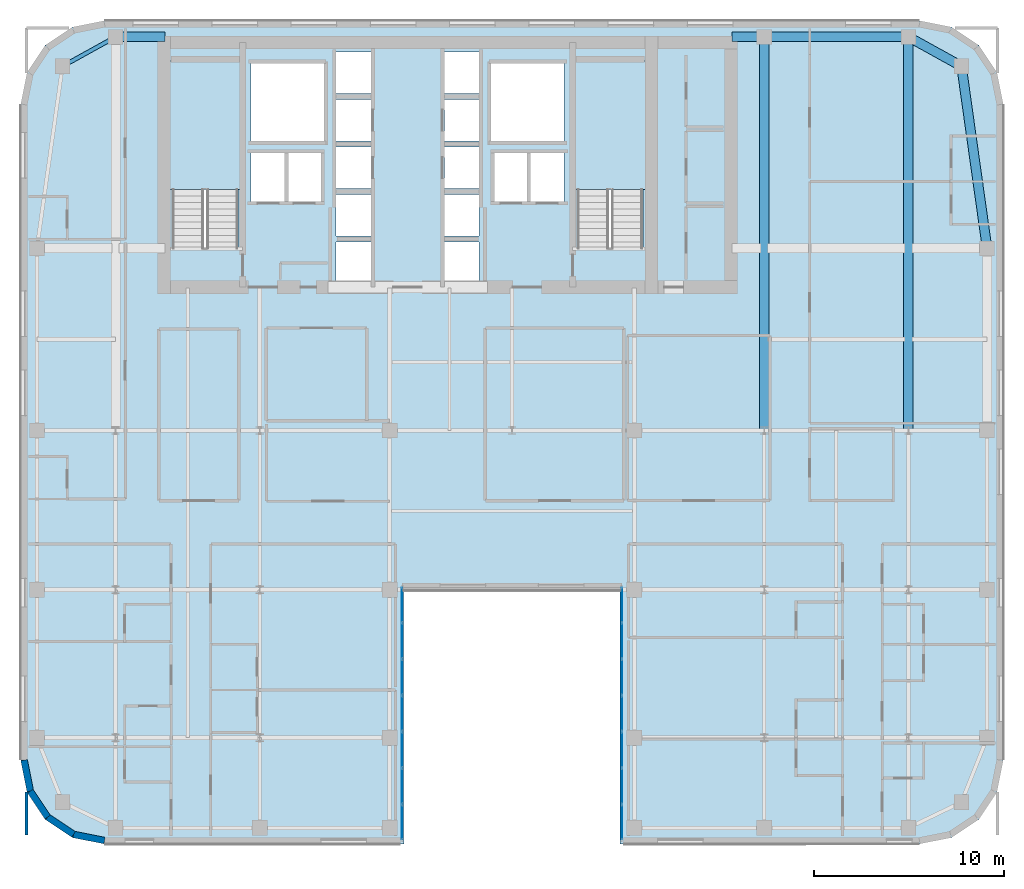
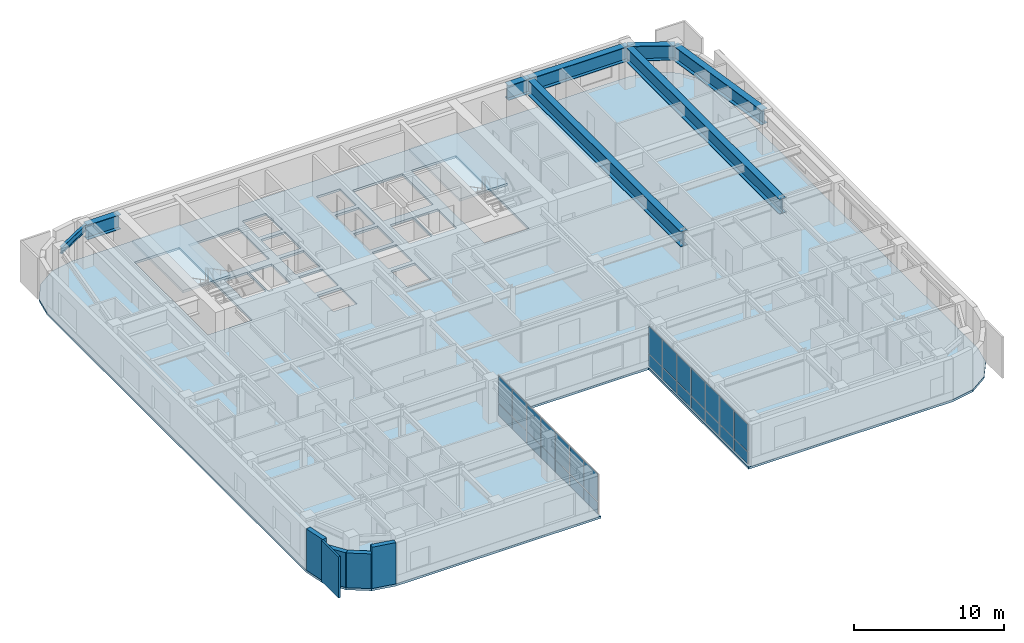
# One storey, part 8 of 20: 28 plates, 8 beams, 5 walls, 3 slabs, 4 elements without a shape of their own.
"""IFC4 building model written with IfcOpenShell, lengths in metres."""

from ifc_helpers import new_model, si_unit, direction, frame, frame_2d, origin, origin_2d, place, context, subcontext, project, spatial, polyline, rectangle, i_section, outline, extrude, source, transform, mapped, material, layer, layer_set, material_profile, profile_set, type_object, type_shapes, element, aggregate, save


model = new_model("IFC4")

# Units and contexts
model_context = context("Model", 3, precision=1e-05, world=origin(), true_north=direction((0.0, 1.0)))
body_context = subcontext(model_context, "Body", "Model", "MODEL_VIEW")
ifc_project = project(units=[si_unit("LENGTHUNIT", "METRE"), si_unit("AREAUNIT", "SQUARE_METRE"), si_unit("VOLUMEUNIT", "CUBIC_METRE"), si_unit("PLANEANGLEUNIT", "RADIAN"), si_unit("MASSUNIT", "GRAM", prefix="KILO")], contexts=[model_context])

# Site, building, storey
site_placement = place(None, origin())
site = spatial("IfcSite", under=ifc_project, at=site_placement, CompositionType="ELEMENT")
building_placement = place(site_placement, origin())
building = spatial("IfcBuilding", under=site, at=building_placement, Name="Tolvann Quenvar Hotel", CompositionType="ELEMENT")
storey_placement = place(building_placement, frame((0.0, 0.0, 175.449951171875)))
storey = spatial("IfcBuildingStorey", under=building, at=storey_placement, Name="L46", CompositionType="ELEMENT", Elevation=175.449951171875)

# Beams
ifc_material_1 = material(Name="Steel Grade 350", Category="steel")
ifc_material_profile_1 = material_profile(ifc_material_1, i_section(OverallWidth=0.5, OverallDepth=1.199951171875, WebThickness=0.01611328125, FlangeThickness=0.0400390625, at=origin_2d()), Name="1200WB455")
ifc_profile_set_1 = profile_set([ifc_material_profile_1], Name="Steel Grade 350")
beam_type_1 = type_object("IfcBeamType", Name="BM_TG_1200WB455", PredefinedType="USERDEFINED", material=ifc_profile_set_1)
shared_shape_1 = source(origin(), body_context, "Body", "SweptSolid", [
    extrude(i_section(OverallWidth=0.5, OverallDepth=1.199951171875, WebThickness=0.01611328125, FlangeThickness=0.0400390625, at=origin_2d()), origin(), (0.0, 0.0, 1.0), 7.599853515625),
])
beam_1_placement = place(storey_placement, frame((49.39990234375, 45.14990234375, 2.77001953125), z_axis=(-1.0, 0.0, 0.0), x_axis=(0.0, -1.0, 0.0)))
element("IfcBeam", 1, at=beam_1_placement, inside=storey, type_object=beam_type_1, Name="BM-L46-FLK-E4", ObjectType="TRANSFER GIRDER", PredefinedType="USERDEFINED", context=body_context, shape_type="MappedRepresentation", body=[
    mapped(shared_shape_1, transform((0.0, 0.0, 0.0), x_axis=(1.0, 0.0, 0.0), y_axis=(0.0, 1.0, 0.0), z_axis=(0.0, 0.0, 1.0), scale=1.0)),
])
shared_shape_2 = source(origin(), body_context, "Body", "SweptSolid", [
    extrude(i_section(OverallWidth=0.5, OverallDepth=1.199951171875, WebThickness=0.01611328125, FlangeThickness=0.0400390625, at=origin_2d()), origin(), (0.0, 0.0, 1.0), 20.75),
])
for number, where, z_axis, x_axis, name in (
    (2, (41.800048828125, 24.39990234375, 2.77001953125), (0.0, 1.0, 0.0), (-1.0, 0.0, 0.0), "BM-L46-FLK-EH"),
    (3, (49.39990234375, 24.39990234375, 2.77001953125), (0.0, 1.0, 0.0), (-1.0, 0.0, 0.0), "BM-L46-FLK-EI"),
):
    element("IfcBeam", number, at=place(storey_placement, frame(where, z_axis=z_axis, x_axis=x_axis)), inside=storey, type_object=beam_type_1, Name=name, ObjectType="TRANSFER GIRDER", PredefinedType="USERDEFINED", context=body_context, shape_type="MappedRepresentation", body=[
        mapped(shared_shape_2, transform((0.0, 0.0, 0.0), x_axis=(1.0, 0.0, 0.0), y_axis=(0.0, 1.0, 0.0), z_axis=(0.0, 0.0, 1.0), scale=1.0)),
    ])
shared_shape_3 = source(origin(), body_context, "Body", "SweptSolid", [
    extrude(i_section(OverallWidth=0.5, OverallDepth=1.199951171875, WebThickness=0.01611328125, FlangeThickness=0.0400390625, at=origin_2d()), origin(), (0.0, 0.0, 1.0), 2.599853515625),
])
beam_2_placement = place(storey_placement, frame((7.60009765625, 45.14990234375, 2.77001953125), z_axis=(1.0, 0.0, 0.0), x_axis=(0.0, 1.0, 0.0)))
element("IfcBeam", 4, at=beam_2_placement, inside=storey, type_object=beam_type_1, Name="BM-L46-CTW-CN", ObjectType="TRANSFER GIRDER", PredefinedType="USERDEFINED", context=body_context, shape_type="MappedRepresentation", body=[
    mapped(shared_shape_3, transform((0.0, 0.0, 0.0), x_axis=(1.0, 0.0, 0.0), y_axis=(0.0, 1.0, 0.0), z_axis=(0.0, 0.0, 1.0), scale=1.0)),
])
shared_shape_4 = source(origin(), body_context, "Body", "SweptSolid", [
    extrude(i_section(OverallWidth=0.5, OverallDepth=1.199951171875, WebThickness=0.01611328125, FlangeThickness=0.0400390625, at=origin_2d()), origin(), (0.0, 0.0, 1.0), 1.699951171875),
])
beam_3_placement = place(storey_placement, frame((40.10009765625, 45.14990234375, 2.77001953125), z_axis=(1.0, 0.0, 0.0), x_axis=(0.0, 1.0, 0.0)))
element("IfcBeam", 5, at=beam_3_placement, inside=storey, type_object=beam_type_1, Name="BM-L46-CTE-HN", ObjectType="TRANSFER GIRDER", PredefinedType="USERDEFINED", context=body_context, shape_type="MappedRepresentation", body=[
    mapped(shared_shape_4, transform((0.0, 0.0, 0.0), x_axis=(1.0, 0.0, 0.0), y_axis=(0.0, 1.0, 0.0), z_axis=(0.0, 0.0, 1.0), scale=1.0)),
])
ifc_material_profile_2 = material_profile(ifc_material_1, i_section(OverallWidth=0.208984375, OverallDepth=0.528076171875, WebThickness=0.009521484375, FlangeThickness=0.01318359375, FilletRadius=0.013916015625, at=origin_2d()), Name="530UB82")
ifc_profile_set_2 = profile_set([ifc_material_profile_2], Name="Steel Grade 350")
beam_type_2 = type_object("IfcBeamType", Name="BM_SPAND_530UB82", PredefinedType="SPANDREL", material=ifc_profile_set_2)
shared_shape_5 = source(origin(), body_context, "Body", "SweptSolid", [
    extrude(i_section(OverallWidth=0.208984375, OverallDepth=0.528076171875, WebThickness=0.009521484375, FlangeThickness=0.01318359375, FilletRadius=0.013916015625, at=origin_2d()), origin(), (0.0, 0.0, 1.0), 3.200439453125),
])
type_shapes(beam_type_2, [shared_shape_5])
beam_4_placement = place(storey_placement, frame((4.800048828125, 43.60009765625, 3.10595703125), z_axis=(0.87492264453, 0.48426270359, 0.0), x_axis=(-0.48426270359, 0.87492264453, 0.0)))
element("IfcBeam", 6, at=beam_4_placement, inside=storey, type_object=beam_type_2, Name="BM-L46-FLK-W3", PredefinedType="SPANDREL", context=body_context, shape_type="MappedRepresentation", body=[
    mapped(shared_shape_5, transform((0.0, 0.0, 0.0), x_axis=(1.0, 0.0, 0.0), y_axis=(0.0, 1.0, 0.0), z_axis=(0.0, 0.0, 1.0), scale=1.0)),
])
shared_shape_6 = source(origin(), body_context, "Body", "SweptSolid", [
    extrude(i_section(OverallWidth=0.5, OverallDepth=1.199951171875, WebThickness=0.01611328125, FlangeThickness=0.0400390625, at=origin_2d()), origin(), (0.0, 0.0, 1.0), 9.694580078125),
])
beam_5_placement = place(storey_placement, frame((53.550048828125, 34.0, 2.77001953125), z_axis=(-0.139263320262, 0.990255385055, 0.0), x_axis=(-0.990255385055, -0.139263320262, 0.0)))
element("IfcBeam", 7, at=beam_5_placement, inside=storey, type_object=beam_type_1, Name="BM-L46-FLK-E2", ObjectType="TRANSFER GIRDER", PredefinedType="USERDEFINED", context=body_context, shape_type="MappedRepresentation", body=[
    mapped(shared_shape_6, transform((0.0, 0.0, 0.0), x_axis=(1.0, 0.0, 0.0), y_axis=(0.0, 1.0, 0.0), z_axis=(0.0, 0.0, 1.0), scale=1.0)),
])
shared_shape_7 = source(origin(), body_context, "Body", "SweptSolid", [
    extrude(i_section(OverallWidth=0.5, OverallDepth=1.199951171875, WebThickness=0.01611328125, FlangeThickness=0.0400390625, at=origin_2d()), origin(), (0.0, 0.0, 1.0), 3.200439453125),
])
type_shapes(beam_type_1, [shared_shape_1, shared_shape_2, shared_shape_3, shared_shape_4, shared_shape_6, shared_shape_7])
beam_6_placement = place(storey_placement, frame((52.199951171875, 43.60009765625, 2.77001953125), z_axis=(-0.87492264453, 0.48426270359, 0.0), x_axis=(-0.48426270359, -0.87492264453, 0.0)))
element("IfcBeam", 8, at=beam_6_placement, inside=storey, type_object=beam_type_1, Name="BM-L46-FLK-E3", ObjectType="TRANSFER GIRDER", PredefinedType="USERDEFINED", context=body_context, shape_type="MappedRepresentation", body=[
    mapped(shared_shape_7, transform((0.0, 0.0, 0.0), x_axis=(1.0, 0.0, 0.0), y_axis=(0.0, 1.0, 0.0), z_axis=(0.0, 0.0, 1.0), scale=1.0)),
])

# Stair, slab
ifc_material_2 = material(Name="Concrete N40 (40 MPa)", Category="concrete")
stair_type = type_object("IfcStairType", Name="STAIR", PredefinedType="HALF_TURN_STAIR", material=ifc_material_2)
stair_1_placement = place(storey_placement, origin())
stair_1 = element("IfcStair", 9, at=stair_1_placement, inside=storey, type_object=stair_type, Name="L46 ST-C1", PredefinedType="HALF_TURN_STAIR")
ifc_layer_1 = layer(ifc_material_2, 0.199951171875)
ifc_layer_set_1 = layer_set([ifc_layer_1], Name="Concrete N40 (40 MPa)")
slab_type_1 = type_object("IfcSlabType", Name="SLAB_LANDING", PredefinedType="LANDING", material=ifc_layer_set_1)
slab_1_placement = place(storey_placement, frame((0.0, 0.0, 1.574951171875)))
slab_1 = element("IfcSlab", 10, at=slab_1_placement, type_object=slab_type_1, Name="ST-C1 landing 1", PredefinedType="LANDING", context=body_context, shape_type="SweptSolid", body=[
    extrude(outline(polyline([(14.179931640625, 37.10498046875), (14.179931640625, 43.8798828125), (10.469970703125, 43.8798828125), (10.469970703125, 37.10498046875), (14.179931640625, 37.10498046875)])), origin(), (0.0, 0.0, 1.0), 0.2001953125),
])
aggregate(stair_1, [slab_1])

stair_2_placement = place(storey_placement, origin())
stair_2 = element("IfcStair", 11, at=stair_2_placement, inside=storey, type_object=stair_type, Name="L46 ST-C2", PredefinedType="HALF_TURN_STAIR")
slab_2_placement = place(storey_placement, frame((0.0, 0.0, 1.574951171875)))
slab_2 = element("IfcSlab", 12, at=slab_2_placement, type_object=slab_type_1, Name="ST-C2 landing 1", PredefinedType="LANDING", context=body_context, shape_type="SweptSolid", body=[
    extrude(outline(polyline([(35.530029296875, 37.10498046875), (35.530029296875, 43.8798828125), (31.820068359375, 43.8798828125), (31.820068359375, 37.10498046875), (35.530029296875, 37.10498046875)])), origin(), (0.0, 0.0, 1.0), 0.2001953125),
])
aggregate(stair_2, [slab_2])

# Slab
ifc_layer_2 = layer(ifc_material_2, 0.179931640625)
ifc_layer_set_2 = layer_set([ifc_layer_2], Name="Concrete N40 (40 MPa)")
slab_type_2 = type_object("IfcSlabType", Name="SLAB_TWR_180", PredefinedType="FLOOR", material=ifc_layer_set_2)
slab_3_placement = place(storey_placement, frame((0.0, 0.0, -0.179931640625)))
element("IfcSlab", 13, at=slab_3_placement, inside=storey, type_object=slab_type_2, Name="Level L46 Structural Floor Slab", PredefinedType="FLOOR", context=body_context, shape_type="SweptSolid", body=[
    extrude(outline(polyline([(2.60009765625, 7.0), (2.934814453125, 5.316162109375), (3.888671875, 3.888671875), (5.316162109375, 2.934814453125), (7.0, 2.60009765625), (22.800048828125, 2.60009765625), (22.800048828125, 16.0), (34.199951171875, 16.0), (34.199951171875, 2.60009765625), (50.0, 2.60009765625), (51.683837890625, 2.934814453125), (53.111328125, 3.888671875), (54.065185546875, 5.316162109375), (54.39990234375, 7.0), (54.39990234375, 41.60009765625), (54.065185546875, 43.28369140625), (53.111328125, 44.711181640625), (51.683837890625, 45.6650390625), (50.0, 46.0), (7.0, 46.0), (5.316162109375, 45.6650390625), (3.888671875, 44.711181640625), (2.934814453125, 43.28369140625), (2.60009765625, 41.60009765625), (2.60009765625, 7.0)]), holes=[polyline([(31.949951171875, 34.02490234375), (31.949951171875, 43.800048828125), (35.39990234375, 43.800048828125), (35.39990234375, 34.02490234375), (31.949951171875, 34.02490234375)]), polyline([(29.449951171875, 39.02001953125), (31.25, 39.02001953125), (31.25, 36.47998046875), (29.449951171875, 36.47998046875), (29.449951171875, 39.02001953125)]), polyline([(31.25, 43.75), (31.25, 39.64990234375), (27.39990234375, 39.64990234375), (27.39990234375, 43.75), (31.25, 43.75)]), polyline([(27.574951171875, 39.02001953125), (29.324951171875, 39.02001953125), (29.324951171875, 36.47998046875), (27.574951171875, 36.47998046875), (27.574951171875, 39.02001953125)]), polyline([(26.77001953125, 44.340087890625), (26.77001953125, 42.159912109375), (24.929931640625, 42.159912109375), (24.929931640625, 44.340087890625), (26.77001953125, 44.340087890625)]), polyline([(24.929931640625, 41.840087890625), (26.77001953125, 41.840087890625), (26.77001953125, 39.659912109375), (24.929931640625, 39.659912109375), (24.929931640625, 41.840087890625)]), polyline([(24.929931640625, 39.340087890625), (26.77001953125, 39.340087890625), (26.77001953125, 37.159912109375), (24.929931640625, 37.159912109375), (24.929931640625, 39.340087890625)]), polyline([(24.929931640625, 36.840087890625), (26.77001953125, 36.840087890625), (26.77001953125, 34.659912109375), (24.929931640625, 34.659912109375), (24.929931640625, 36.840087890625)]), polyline([(24.929931640625, 34.340087890625), (26.77001953125, 34.340087890625), (26.77001953125, 32.159912109375), (24.929931640625, 32.159912109375), (24.929931640625, 34.340087890625)]), polyline([(21.070068359375, 44.340087890625), (21.070068359375, 42.159912109375), (19.22998046875, 42.159912109375), (19.22998046875, 44.340087890625), (21.070068359375, 44.340087890625)]), polyline([(19.22998046875, 41.840087890625), (21.070068359375, 41.840087890625), (21.070068359375, 39.659912109375), (19.22998046875, 39.659912109375), (19.22998046875, 41.840087890625)]), polyline([(19.22998046875, 39.340087890625), (21.070068359375, 39.340087890625), (21.070068359375, 37.159912109375), (19.22998046875, 37.159912109375), (19.22998046875, 39.340087890625)]), polyline([(19.22998046875, 36.840087890625), (21.070068359375, 36.840087890625), (21.070068359375, 34.659912109375), (19.22998046875, 34.659912109375), (19.22998046875, 36.840087890625)]), polyline([(19.22998046875, 34.340087890625), (21.070068359375, 34.340087890625), (21.070068359375, 32.159912109375), (19.22998046875, 32.159912109375), (19.22998046875, 34.340087890625)]), polyline([(18.60009765625, 43.75), (18.60009765625, 39.64990234375), (14.75, 39.64990234375), (14.75, 43.75), (18.60009765625, 43.75)]), polyline([(16.675048828125, 39.02001953125), (18.425048828125, 39.02001953125), (18.425048828125, 36.47998046875), (16.675048828125, 36.47998046875), (16.675048828125, 39.02001953125)]), polyline([(14.75, 39.02001953125), (16.550048828125, 39.02001953125), (16.550048828125, 36.47998046875), (14.75, 36.47998046875), (14.75, 39.02001953125)]), polyline([(10.60009765625, 34.02490234375), (10.60009765625, 43.800048828125), (14.050048828125, 43.800048828125), (14.050048828125, 34.02490234375), (10.60009765625, 34.02490234375)])]), origin(), (0.0, 0.0, 1.0), 0.179931640625),
])

# Curtain wall, plates
ifc_material_3 = material(Name="Thermally broken anodised architectural aluminium 6063-T6 and laminated low-E glass", Category="aluminium")
ifc_layer_3 = layer(ifc_material_3, 0.179931640625)
ifc_layer_set_3 = layer_set([ifc_layer_3], Name="Thermally broken anodised architectural aluminium 6063-T6 and laminated low-E glass")
curtain_wall_type = type_object("IfcCurtainWallType", Name="CW_SYS_SLOT_03", PredefinedType="USERDEFINED", material=ifc_layer_set_3)
curtain_wall_1_placement = place(storey_placement, origin())
curtain_wall_1 = element("IfcCurtainWall", 14, at=curtain_wall_1_placement, inside=storey, type_object=curtain_wall_type, Name="Curtain Wall CW-SLOT-03 (CWR-L46-E05)", ObjectType="UNITISED CURTAIN WALL", PredefinedType="USERDEFINED")
ifc_material_4 = material(Name="Low-iron laminated double glazing with solar-control coating", Category="glass")
ifc_layer_4 = layer(ifc_material_4, 0.028076171875)
ifc_layer_set_4 = layer_set([ifc_layer_4], Name="Low-iron laminated double glazing with solar-control coating")
plate_type = type_object("IfcPlateType", Name="CW_PAN_VISION_28", PredefinedType="CURTAIN_PANEL", material=ifc_layer_set_4)
shared_shape_8 = source(origin(), body_context, "Body", "SweptSolid", [
    extrude(rectangle(XDim=1.809326171875, YDim=0.028076171875, at=origin_2d()), origin(), (0.0, 0.0, 1.0), 0.9599609375),
])
plate_1_placement = place(storey_placement, frame((22.7099609375, 3.749755859375, 0.06005859375), z_axis=(0.0, 0.0, 1.0), x_axis=(0.0, 1.0, 0.0)))
plate_1 = element("IfcPlate", 15, at=plate_1_placement, type_object=plate_type, Name="CW-SLOT-03 panel 1.1", PredefinedType="CURTAIN_PANEL", context=body_context, shape_type="MappedRepresentation", body=[
    mapped(shared_shape_8, transform((0.0, 0.0, 0.0), x_axis=(1.0, 0.0, 0.0), y_axis=(0.0, 1.0, 0.0), z_axis=(0.0, 0.0, 1.0), scale=1.0)),
])
plate_2_placement = place(storey_placement, frame((22.7099609375, 15.200439453125, 0.06005859375), z_axis=(0.0, 0.0, 1.0), x_axis=(0.0, 1.0, 0.0)))
plate_2 = element("IfcPlate", 16, at=plate_2_placement, type_object=plate_type, Name="CW-SLOT-03 panel 7.1", PredefinedType="CURTAIN_PANEL", context=body_context, shape_type="MappedRepresentation", body=[
    mapped(shared_shape_8, transform((0.0, 0.0, 0.0), x_axis=(1.0, 0.0, 0.0), y_axis=(0.0, 1.0, 0.0), z_axis=(0.0, 0.0, 1.0), scale=1.0)),
])

curtain_wall_2_placement = place(storey_placement, origin())
curtain_wall_2 = element("IfcCurtainWall", 17, at=curtain_wall_2_placement, inside=storey, type_object=curtain_wall_type, Name="Curtain Wall CW-SLOT-03 (CWR-L46-E07)", ObjectType="UNITISED CURTAIN WALL", PredefinedType="USERDEFINED")
plate_3_placement = place(storey_placement, frame((34.2900390625, 15.200439453125, 0.06005859375), z_axis=(0.0, 0.0, 1.0), x_axis=(0.0, -1.0, 0.0)))
plate_3 = element("IfcPlate", 18, at=plate_3_placement, type_object=plate_type, Name="CW-SLOT-03 panel 1.1", PredefinedType="CURTAIN_PANEL", context=body_context, shape_type="MappedRepresentation", body=[
    mapped(shared_shape_8, transform((0.0, 0.0, 0.0), x_axis=(1.0, 0.0, 0.0), y_axis=(0.0, 1.0, 0.0), z_axis=(0.0, 0.0, 1.0), scale=1.0)),
])
plate_4_placement = place(storey_placement, frame((34.2900390625, 3.749755859375, 0.06005859375), z_axis=(0.0, 0.0, 1.0), x_axis=(0.0, -1.0, 0.0)))
plate_4 = element("IfcPlate", 19, at=plate_4_placement, type_object=plate_type, Name="CW-SLOT-03 panel 7.1", PredefinedType="CURTAIN_PANEL", context=body_context, shape_type="MappedRepresentation", body=[
    mapped(shared_shape_8, transform((0.0, 0.0, 0.0), x_axis=(1.0, 0.0, 0.0), y_axis=(0.0, 1.0, 0.0), z_axis=(0.0, 0.0, 1.0), scale=1.0)),
])

# Plate
shared_shape_9 = source(origin(), body_context, "Body", "SweptSolid", [
    extrude(rectangle(XDim=1.809326171875, YDim=0.028076171875, at=origin_2d()), origin(), (0.0, 0.0, 1.0), 2.22998046875),
])
plate_5_placement = place(storey_placement, frame((22.7099609375, 3.749755859375, 1.080078125), z_axis=(0.0, 0.0, 1.0), x_axis=(0.0, 1.0, 0.0)))
plate_5 = element("IfcPlate", 20, at=plate_5_placement, type_object=plate_type, Name="CW-SLOT-03 panel 1.2", PredefinedType="CURTAIN_PANEL", context=body_context, shape_type="MappedRepresentation", body=[
    mapped(shared_shape_9, transform((0.0, 0.0, 0.0), x_axis=(1.0, 0.0, 0.0), y_axis=(0.0, 1.0, 0.0), z_axis=(0.0, 0.0, 1.0), scale=1.0)),
])

plate_6_placement = place(storey_placement, frame((22.7099609375, 15.200439453125, 1.080078125), z_axis=(0.0, 0.0, 1.0), x_axis=(0.0, 1.0, 0.0)))
plate_6 = element("IfcPlate", 21, at=plate_6_placement, type_object=plate_type, Name="CW-SLOT-03 panel 7.2", PredefinedType="CURTAIN_PANEL", context=body_context, shape_type="MappedRepresentation", body=[
    mapped(shared_shape_9, transform((0.0, 0.0, 0.0), x_axis=(1.0, 0.0, 0.0), y_axis=(0.0, 1.0, 0.0), z_axis=(0.0, 0.0, 1.0), scale=1.0)),
])

plate_7_placement = place(storey_placement, frame((34.2900390625, 15.200439453125, 1.080078125), z_axis=(0.0, 0.0, 1.0), x_axis=(0.0, -1.0, 0.0)))
plate_7 = element("IfcPlate", 22, at=plate_7_placement, type_object=plate_type, Name="CW-SLOT-03 panel 1.2", PredefinedType="CURTAIN_PANEL", context=body_context, shape_type="MappedRepresentation", body=[
    mapped(shared_shape_9, transform((0.0, 0.0, 0.0), x_axis=(1.0, 0.0, 0.0), y_axis=(0.0, 1.0, 0.0), z_axis=(0.0, 0.0, 1.0), scale=1.0)),
])

plate_8_placement = place(storey_placement, frame((34.2900390625, 3.749755859375, 1.080078125), z_axis=(0.0, 0.0, 1.0), x_axis=(0.0, -1.0, 0.0)))
plate_8 = element("IfcPlate", 23, at=plate_8_placement, type_object=plate_type, Name="CW-SLOT-03 panel 7.2", PredefinedType="CURTAIN_PANEL", context=body_context, shape_type="MappedRepresentation", body=[
    mapped(shared_shape_9, transform((0.0, 0.0, 0.0), x_axis=(1.0, 0.0, 0.0), y_axis=(0.0, 1.0, 0.0), z_axis=(0.0, 0.0, 1.0), scale=1.0)),
])

shared_shape_10 = source(origin(), body_context, "Body", "SweptSolid", [
    extrude(rectangle(XDim=1.84423828125, YDim=0.028076171875, at=origin_2d()), origin(), (0.0, 0.0, 1.0), 0.9599609375),
])
plate_9_placement = place(storey_placement, frame((22.7099609375, 5.646484375, 0.06005859375), z_axis=(0.0, 0.0, 1.0), x_axis=(0.0, 1.0, 0.0)))
plate_9 = element("IfcPlate", 24, at=plate_9_placement, type_object=plate_type, Name="CW-SLOT-03 panel 2.1", PredefinedType="CURTAIN_PANEL", context=body_context, shape_type="MappedRepresentation", body=[
    mapped(shared_shape_10, transform((0.0, 0.0, 0.0), x_axis=(1.0, 0.0, 0.0), y_axis=(0.0, 1.0, 0.0), z_axis=(0.0, 0.0, 1.0), scale=1.0)),
])

plate_10_placement = place(storey_placement, frame((22.7099609375, 7.560791015625, 0.06005859375), z_axis=(0.0, 0.0, 1.0), x_axis=(0.0, 1.0, 0.0)))
plate_10 = element("IfcPlate", 25, at=plate_10_placement, type_object=plate_type, Name="CW-SLOT-03 panel 3.1", PredefinedType="CURTAIN_PANEL", context=body_context, shape_type="MappedRepresentation", body=[
    mapped(shared_shape_10, transform((0.0, 0.0, 0.0), x_axis=(1.0, 0.0, 0.0), y_axis=(0.0, 1.0, 0.0), z_axis=(0.0, 0.0, 1.0), scale=1.0)),
])

plate_11_placement = place(storey_placement, frame((22.7099609375, 9.47509765625, 0.06005859375), z_axis=(0.0, 0.0, 1.0), x_axis=(0.0, 1.0, 0.0)))
plate_11 = element("IfcPlate", 26, at=plate_11_placement, type_object=plate_type, Name="CW-SLOT-03 panel 4.1", PredefinedType="CURTAIN_PANEL", context=body_context, shape_type="MappedRepresentation", body=[
    mapped(shared_shape_10, transform((0.0, 0.0, 0.0), x_axis=(1.0, 0.0, 0.0), y_axis=(0.0, 1.0, 0.0), z_axis=(0.0, 0.0, 1.0), scale=1.0)),
])

plate_12_placement = place(storey_placement, frame((22.7099609375, 11.389404296875, 0.06005859375), z_axis=(0.0, 0.0, 1.0), x_axis=(0.0, 1.0, 0.0)))
plate_12 = element("IfcPlate", 27, at=plate_12_placement, type_object=plate_type, Name="CW-SLOT-03 panel 5.1", PredefinedType="CURTAIN_PANEL", context=body_context, shape_type="MappedRepresentation", body=[
    mapped(shared_shape_10, transform((0.0, 0.0, 0.0), x_axis=(1.0, 0.0, 0.0), y_axis=(0.0, 1.0, 0.0), z_axis=(0.0, 0.0, 1.0), scale=1.0)),
])

plate_13_placement = place(storey_placement, frame((22.7099609375, 13.303466796875, 0.06005859375), z_axis=(0.0, 0.0, 1.0), x_axis=(0.0, 1.0, 0.0)))
plate_13 = element("IfcPlate", 28, at=plate_13_placement, type_object=plate_type, Name="CW-SLOT-03 panel 6.1", PredefinedType="CURTAIN_PANEL", context=body_context, shape_type="MappedRepresentation", body=[
    mapped(shared_shape_10, transform((0.0, 0.0, 0.0), x_axis=(1.0, 0.0, 0.0), y_axis=(0.0, 1.0, 0.0), z_axis=(0.0, 0.0, 1.0), scale=1.0)),
])

plate_14_placement = place(storey_placement, frame((34.2900390625, 13.303466796875, 0.06005859375), z_axis=(0.0, 0.0, 1.0), x_axis=(0.0, -1.0, 0.0)))
plate_14 = element("IfcPlate", 29, at=plate_14_placement, type_object=plate_type, Name="CW-SLOT-03 panel 2.1", PredefinedType="CURTAIN_PANEL", context=body_context, shape_type="MappedRepresentation", body=[
    mapped(shared_shape_10, transform((0.0, 0.0, 0.0), x_axis=(1.0, 0.0, 0.0), y_axis=(0.0, 1.0, 0.0), z_axis=(0.0, 0.0, 1.0), scale=1.0)),
])

plate_15_placement = place(storey_placement, frame((34.2900390625, 11.389404296875, 0.06005859375), z_axis=(0.0, 0.0, 1.0), x_axis=(0.0, -1.0, 0.0)))
plate_15 = element("IfcPlate", 30, at=plate_15_placement, type_object=plate_type, Name="CW-SLOT-03 panel 3.1", PredefinedType="CURTAIN_PANEL", context=body_context, shape_type="MappedRepresentation", body=[
    mapped(shared_shape_10, transform((0.0, 0.0, 0.0), x_axis=(1.0, 0.0, 0.0), y_axis=(0.0, 1.0, 0.0), z_axis=(0.0, 0.0, 1.0), scale=1.0)),
])

plate_16_placement = place(storey_placement, frame((34.2900390625, 9.47509765625, 0.06005859375), z_axis=(0.0, 0.0, 1.0), x_axis=(0.0, -1.0, 0.0)))
plate_16 = element("IfcPlate", 31, at=plate_16_placement, type_object=plate_type, Name="CW-SLOT-03 panel 4.1", PredefinedType="CURTAIN_PANEL", context=body_context, shape_type="MappedRepresentation", body=[
    mapped(shared_shape_10, transform((0.0, 0.0, 0.0), x_axis=(1.0, 0.0, 0.0), y_axis=(0.0, 1.0, 0.0), z_axis=(0.0, 0.0, 1.0), scale=1.0)),
])

plate_17_placement = place(storey_placement, frame((34.2900390625, 7.560791015625, 0.06005859375), z_axis=(0.0, 0.0, 1.0), x_axis=(0.0, -1.0, 0.0)))
plate_17 = element("IfcPlate", 32, at=plate_17_placement, type_object=plate_type, Name="CW-SLOT-03 panel 5.1", PredefinedType="CURTAIN_PANEL", context=body_context, shape_type="MappedRepresentation", body=[
    mapped(shared_shape_10, transform((0.0, 0.0, 0.0), x_axis=(1.0, 0.0, 0.0), y_axis=(0.0, 1.0, 0.0), z_axis=(0.0, 0.0, 1.0), scale=1.0)),
])

plate_18_placement = place(storey_placement, frame((34.2900390625, 5.646484375, 0.06005859375), z_axis=(0.0, 0.0, 1.0), x_axis=(0.0, -1.0, 0.0)))
plate_18 = element("IfcPlate", 33, at=plate_18_placement, type_object=plate_type, Name="CW-SLOT-03 panel 6.1", PredefinedType="CURTAIN_PANEL", context=body_context, shape_type="MappedRepresentation", body=[
    mapped(shared_shape_10, transform((0.0, 0.0, 0.0), x_axis=(1.0, 0.0, 0.0), y_axis=(0.0, 1.0, 0.0), z_axis=(0.0, 0.0, 1.0), scale=1.0)),
])

shared_shape_11 = source(origin(), body_context, "Body", "SweptSolid", [
    extrude(rectangle(XDim=1.84423828125, YDim=0.028076171875, at=origin_2d()), origin(), (0.0, 0.0, 1.0), 2.22998046875),
])
type_shapes(plate_type, [shared_shape_8, shared_shape_9, shared_shape_10, shared_shape_11])
plate_19_placement = place(storey_placement, frame((22.7099609375, 5.646484375, 1.080078125), z_axis=(0.0, 0.0, 1.0), x_axis=(0.0, 1.0, 0.0)))
plate_19 = element("IfcPlate", 34, at=plate_19_placement, type_object=plate_type, Name="CW-SLOT-03 panel 2.2", PredefinedType="CURTAIN_PANEL", context=body_context, shape_type="MappedRepresentation", body=[
    mapped(shared_shape_11, transform((0.0, 0.0, 0.0), x_axis=(1.0, 0.0, 0.0), y_axis=(0.0, 1.0, 0.0), z_axis=(0.0, 0.0, 1.0), scale=1.0)),
])

plate_20_placement = place(storey_placement, frame((22.7099609375, 7.560791015625, 1.080078125), z_axis=(0.0, 0.0, 1.0), x_axis=(0.0, 1.0, 0.0)))
plate_20 = element("IfcPlate", 35, at=plate_20_placement, type_object=plate_type, Name="CW-SLOT-03 panel 3.2", PredefinedType="CURTAIN_PANEL", context=body_context, shape_type="MappedRepresentation", body=[
    mapped(shared_shape_11, transform((0.0, 0.0, 0.0), x_axis=(1.0, 0.0, 0.0), y_axis=(0.0, 1.0, 0.0), z_axis=(0.0, 0.0, 1.0), scale=1.0)),
])

plate_21_placement = place(storey_placement, frame((22.7099609375, 9.47509765625, 1.080078125), z_axis=(0.0, 0.0, 1.0), x_axis=(0.0, 1.0, 0.0)))
plate_21 = element("IfcPlate", 36, at=plate_21_placement, type_object=plate_type, Name="CW-SLOT-03 panel 4.2", PredefinedType="CURTAIN_PANEL", context=body_context, shape_type="MappedRepresentation", body=[
    mapped(shared_shape_11, transform((0.0, 0.0, 0.0), x_axis=(1.0, 0.0, 0.0), y_axis=(0.0, 1.0, 0.0), z_axis=(0.0, 0.0, 1.0), scale=1.0)),
])

plate_22_placement = place(storey_placement, frame((22.7099609375, 11.389404296875, 1.080078125), z_axis=(0.0, 0.0, 1.0), x_axis=(0.0, 1.0, 0.0)))
plate_22 = element("IfcPlate", 37, at=plate_22_placement, type_object=plate_type, Name="CW-SLOT-03 panel 5.2", PredefinedType="CURTAIN_PANEL", context=body_context, shape_type="MappedRepresentation", body=[
    mapped(shared_shape_11, transform((0.0, 0.0, 0.0), x_axis=(1.0, 0.0, 0.0), y_axis=(0.0, 1.0, 0.0), z_axis=(0.0, 0.0, 1.0), scale=1.0)),
])

plate_23_placement = place(storey_placement, frame((22.7099609375, 13.303466796875, 1.080078125), z_axis=(0.0, 0.0, 1.0), x_axis=(0.0, 1.0, 0.0)))
plate_23 = element("IfcPlate", 38, at=plate_23_placement, type_object=plate_type, Name="CW-SLOT-03 panel 6.2", PredefinedType="CURTAIN_PANEL", context=body_context, shape_type="MappedRepresentation", body=[
    mapped(shared_shape_11, transform((0.0, 0.0, 0.0), x_axis=(1.0, 0.0, 0.0), y_axis=(0.0, 1.0, 0.0), z_axis=(0.0, 0.0, 1.0), scale=1.0)),
])

aggregate(curtain_wall_1, [plate_1, plate_5, plate_9, plate_19, plate_10, plate_20, plate_11, plate_21, plate_12, plate_22, plate_13, plate_23, plate_2, plate_6])

plate_24_placement = place(storey_placement, frame((34.2900390625, 13.303466796875, 1.080078125), z_axis=(0.0, 0.0, 1.0), x_axis=(0.0, -1.0, 0.0)))
plate_24 = element("IfcPlate", 39, at=plate_24_placement, type_object=plate_type, Name="CW-SLOT-03 panel 2.2", PredefinedType="CURTAIN_PANEL", context=body_context, shape_type="MappedRepresentation", body=[
    mapped(shared_shape_11, transform((0.0, 0.0, 0.0), x_axis=(1.0, 0.0, 0.0), y_axis=(0.0, 1.0, 0.0), z_axis=(0.0, 0.0, 1.0), scale=1.0)),
])

plate_25_placement = place(storey_placement, frame((34.2900390625, 11.389404296875, 1.080078125), z_axis=(0.0, 0.0, 1.0), x_axis=(0.0, -1.0, 0.0)))
plate_25 = element("IfcPlate", 40, at=plate_25_placement, type_object=plate_type, Name="CW-SLOT-03 panel 3.2", PredefinedType="CURTAIN_PANEL", context=body_context, shape_type="MappedRepresentation", body=[
    mapped(shared_shape_11, transform((0.0, 0.0, 0.0), x_axis=(1.0, 0.0, 0.0), y_axis=(0.0, 1.0, 0.0), z_axis=(0.0, 0.0, 1.0), scale=1.0)),
])

plate_26_placement = place(storey_placement, frame((34.2900390625, 9.47509765625, 1.080078125), z_axis=(0.0, 0.0, 1.0), x_axis=(0.0, -1.0, 0.0)))
plate_26 = element("IfcPlate", 41, at=plate_26_placement, type_object=plate_type, Name="CW-SLOT-03 panel 4.2", PredefinedType="CURTAIN_PANEL", context=body_context, shape_type="MappedRepresentation", body=[
    mapped(shared_shape_11, transform((0.0, 0.0, 0.0), x_axis=(1.0, 0.0, 0.0), y_axis=(0.0, 1.0, 0.0), z_axis=(0.0, 0.0, 1.0), scale=1.0)),
])

plate_27_placement = place(storey_placement, frame((34.2900390625, 7.560791015625, 1.080078125), z_axis=(0.0, 0.0, 1.0), x_axis=(0.0, -1.0, 0.0)))
plate_27 = element("IfcPlate", 42, at=plate_27_placement, type_object=plate_type, Name="CW-SLOT-03 panel 5.2", PredefinedType="CURTAIN_PANEL", context=body_context, shape_type="MappedRepresentation", body=[
    mapped(shared_shape_11, transform((0.0, 0.0, 0.0), x_axis=(1.0, 0.0, 0.0), y_axis=(0.0, 1.0, 0.0), z_axis=(0.0, 0.0, 1.0), scale=1.0)),
])

plate_28_placement = place(storey_placement, frame((34.2900390625, 5.646484375, 1.080078125), z_axis=(0.0, 0.0, 1.0), x_axis=(0.0, -1.0, 0.0)))
plate_28 = element("IfcPlate", 43, at=plate_28_placement, type_object=plate_type, Name="CW-SLOT-03 panel 6.2", PredefinedType="CURTAIN_PANEL", context=body_context, shape_type="MappedRepresentation", body=[
    mapped(shared_shape_11, transform((0.0, 0.0, 0.0), x_axis=(1.0, 0.0, 0.0), y_axis=(0.0, 1.0, 0.0), z_axis=(0.0, 0.0, 1.0), scale=1.0)),
])

aggregate(curtain_wall_2, [plate_3, plate_7, plate_14, plate_24, plate_15, plate_25, plate_16, plate_26, plate_17, plate_27, plate_18, plate_28, plate_4, plate_8])

# Walls
ifc_material_5 = material(Name="Kiln-fired red and buff architectural clay brickwork and terracotta masonry", Category="masonry")
ifc_layer_5 = layer(ifc_material_5, 0.35009765625)
ifc_layer_set_5 = layer_set([ifc_layer_5], Name="Kiln-fired red and buff architectural clay brickwork and terracotta masonry")
wall_type_1 = type_object("IfcWallType", Name="WALL_EXT_BRICK_350", PredefinedType="SOLIDWALL", material=ifc_layer_set_5)
for number, where, z_axis, x_axis, name in (
    (44, (3.099609375, 5.384521484375, 0.0), (0.0, 0.0, 1.0), (0.555623290322, -0.831434158098, 0.0), "Exterior Chicago Brick Wall L46-E01"),
    (45, (4.014892578125, 4.014892578125, 0.0), (0.0, 0.0, 1.0), (0.831434158098, -0.555623290322, 0.0), "Exterior Chicago Brick Wall L46-E02"),
):
    element("IfcWall", number, at=place(storey_placement, frame(where, z_axis=z_axis, x_axis=x_axis)), inside=storey, type_object=wall_type_1, Name=name, PredefinedType="SOLIDWALL", context=body_context, shape_type="SweptSolid", body=[
        extrude(rectangle(XDim=1.647216796875, YDim=0.35009765625, at=frame_2d((0.82373046875, 0.0))), origin(), (0.0, 0.0, 1.0), 2.83203125),
    ])
for number, where, z_axis, x_axis, name in (
    (46, (5.384521484375, 3.099609375, 0.0), (0.0, 0.0, 1.0), (0.980788844421, -0.195072403631, 0.0), "Exterior Chicago Brick Wall L46-E03"),
    (47, (2.77490234375, 7.01708984375, 0.0), (0.0, 0.0, 1.0), (0.195072403631, -0.980788844421, 0.0), "Exterior Chicago Brick Wall L46-E24"),
):
    element("IfcWall", number, at=place(storey_placement, frame(where, z_axis=z_axis, x_axis=x_axis)), inside=storey, type_object=wall_type_1, Name=name, PredefinedType="SOLIDWALL", context=body_context, shape_type="SweptSolid", body=[
        extrude(rectangle(XDim=1.66455078125, YDim=0.35009765625, at=frame_2d((0.832275390625, 0.0))), origin(), (0.0, 0.0, 1.0), 3.3701171875),
    ])
ifc_material_6 = material(Name="Acoustic twin-stud fire-rated gypsum plasterboard partition")
ifc_layer_6 = layer(ifc_material_6, 0.14990234375)
ifc_layer_set_6 = layer_set([ifc_layer_6], Name="Acoustic twin-stud fire-rated gypsum plasterboard partition")
wall_type_2 = type_object("IfcWallType", Name="WALL_PART_SUITE_150", PredefinedType="PARTITIONING", material=ifc_layer_set_6)
wall_placement = place(storey_placement, frame((2.89990234375, 3.080078125, 0.0), z_axis=(0.0, 0.0, 1.0), x_axis=(0.0, 1.0, 0.0)))
element("IfcWall", 48, at=wall_placement, inside=storey, type_object=wall_type_2, Name="Interior Partition PT-SPC-L46-RM-WO01-E6", PredefinedType="PARTITIONING", context=body_context, shape_type="SweptSolid", body=[
    extrude(rectangle(XDim=2.264892578125, YDim=0.14990234375, at=frame_2d((1.13232421875, 0.0))), origin(), (0.0, 0.0, 1.0), 3.3701171875),
])

save(model, "model.ifc")
